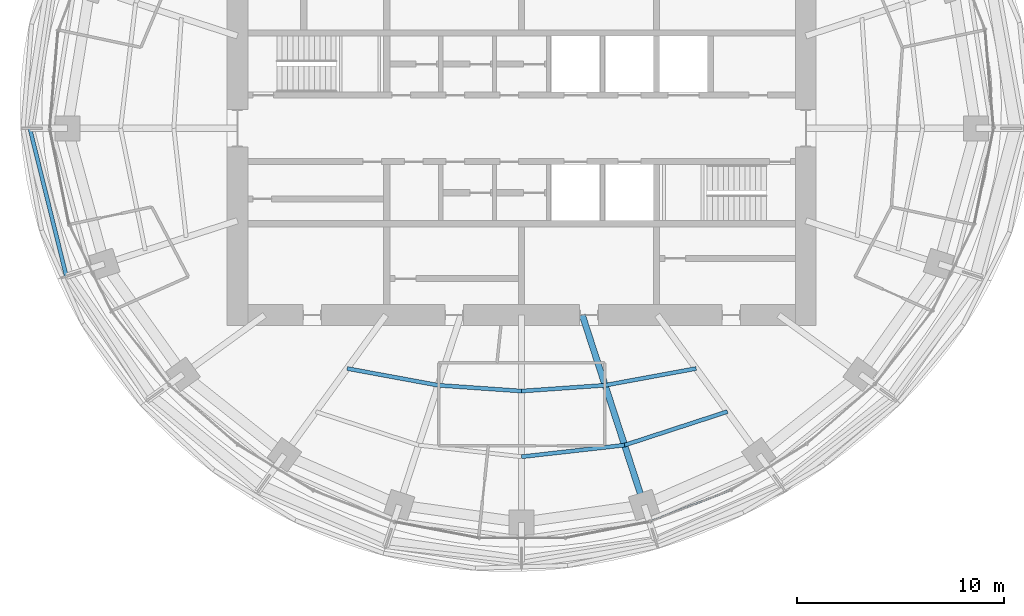
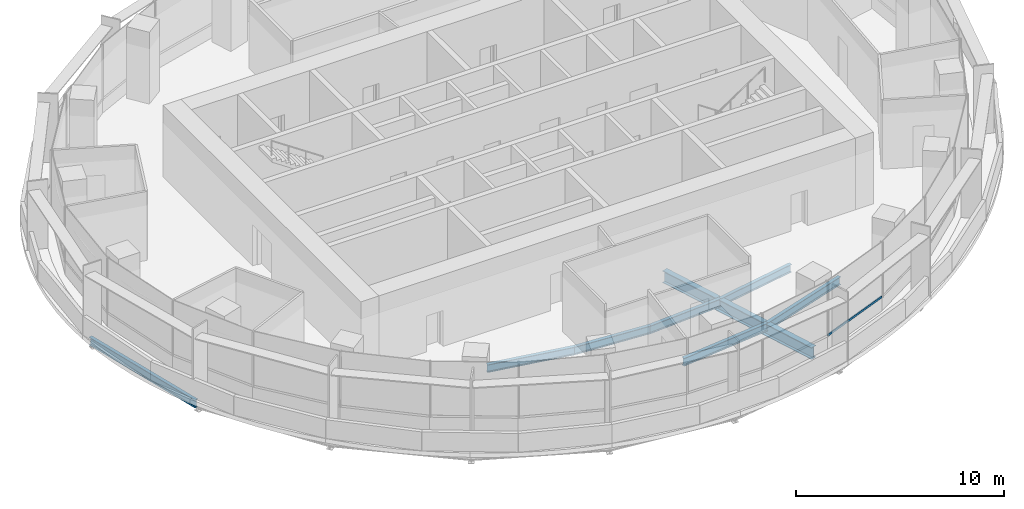
# One storey, part 3 of 15: 8 beams, 1 member, 1 element without a shape of its own.
"""IFC4 building model written with IfcOpenShell, lengths in metres."""

from ifc_helpers import new_model, si_unit, direction, frame, origin, origin_2d, place, context, subcontext, project, spatial, rectangle, i_section, extrude, material, material_profile, profile_set, type_object, element, aggregate, save


model = new_model("IFC4")

# Units and contexts
model_context = context("Model", 3, precision=1e-05, world=origin(), true_north=direction((0.0, 1.0)))
body_context = subcontext(model_context, "Body", "Model", "MODEL_VIEW")
ifc_project = project(units=[si_unit("LENGTHUNIT", "METRE"), si_unit("AREAUNIT", "SQUARE_METRE"), si_unit("VOLUMEUNIT", "CUBIC_METRE"), si_unit("PLANEANGLEUNIT", "RADIAN"), si_unit("MASSUNIT", "GRAM", prefix="KILO")], contexts=[model_context])

# Site, building, storey
site_placement = place(None, origin())
site = spatial("IfcSite", under=ifc_project, at=site_placement, CompositionType="ELEMENT")
building_placement = place(site_placement, origin())
building = spatial("IfcBuilding", under=site, at=building_placement, Name="Marramba Exchange Tower", CompositionType="ELEMENT")
storey_placement = place(building_placement, frame((0.0, 0.0, 251.800048828125)))
storey = spatial("IfcBuildingStorey", under=building, at=storey_placement, Name="L61", CompositionType="ELEMENT", Elevation=251.800048828125)

# Curtain wall, member
ifc_material_1 = material(Name="Aluminium framing, bronze anodised", Category="aluminium")
curtain_wall_type = type_object("IfcCurtainWallType", Name="Executive floor ribbon curtain wall", PredefinedType="USERDEFINED", material=ifc_material_1)
curtain_wall_placement = place(storey_placement, origin())
curtain_wall = element("IfcCurtainWall", 1, at=curtain_wall_placement, inside=storey, type_object=curtain_wall_type, Name="Curtain wall CW5 L61 F21-F25", ObjectType="RIBBON CURTAIN WALL", PredefinedType="USERDEFINED")
ifc_material_2 = material(Name="Aluminium transom, bronze anodised", Category="aluminium")
ifc_material_profile_1 = material_profile(ifc_material_2, rectangle(XDim=0.06005859375, YDim=0.1201171875, at=origin_2d()), Name="CW5 transom 60x120")
ifc_profile_set_1 = profile_set([ifc_material_profile_1], Name="Aluminium transom, bronze anodised")
member_type = type_object("IfcMemberType", Name="Executive floor ribbon curtain wall transom", PredefinedType="USERDEFINED", material=ifc_profile_set_1)
member_placement = place(storey_placement, frame((6.21826171875, -18.943603515625, 0.829833984375), z_axis=(0.931790621773, 0.362996194438, 0.0), x_axis=(-0.362996194438, 0.931790621773, 0.0)))
member = element("IfcMember", 2, at=member_placement, type_object=member_type, Name="CW5 sill transom", ObjectType="TRANSOM", PredefinedType="USERDEFINED", context=body_context, shape_type="SweptSolid", body=[
    extrude(rectangle(XDim=0.06005859375, YDim=0.1201171875, at=origin_2d()), origin(), (0.0, 0.0, 1.0), 4.13427734375),
])
aggregate(curtain_wall, [member])

# Beams
ifc_material_3 = material(Name="Steel AS/NZS 3679.1 grade 300", Category="steel")
ifc_material_profile_2 = material_profile(ifc_material_3, i_section(OverallWidth=0.19091796875, OverallDepth=0.4599609375, WebThickness=0.010009765625, FlangeThickness=0.01611328125, FilletRadius=0.011474609375, at=origin_2d()), Name="460UB82.1")
ifc_profile_set_2 = profile_set([ifc_material_profile_2], Name="Steel AS/NZS 3679.1 grade 300")
beam_type_1 = type_object("IfcBeamType", Name="Floor joist 460UB82.1", PredefinedType="JOIST", material=ifc_profile_set_2)
beam_1_placement = place(storey_placement, frame((-8.41162109375, -11.57763671875, -0.429931640625), z_axis=(0.983455754421, -0.181148500119, 0.0), x_axis=(0.181148500119, 0.983455754421, 0.0)))
element("IfcBeam", 3, at=beam_1_placement, inside=storey, type_object=beam_type_1, Name="Joist L61 bay 14 row 1", PredefinedType="JOIST", context=body_context, shape_type="SweptSolid", body=[
    extrude(i_section(OverallWidth=0.19091796875, OverallDepth=0.4599609375, WebThickness=0.010009765625, FlangeThickness=0.01611328125, FilletRadius=0.011474609375, at=origin_2d()), origin(), (0.0, 0.0, 1.0), 4.4609375),
])
for number, where, z_axis, x_axis, name in (
    (4, (-4.0244140625, -12.3857421875, -0.429931640625), (0.99759625901, -0.069294328838, 0.0), (0.069294328838, 0.99759625901, 0.0), "Joist L61 bay 15 row 1"),
    (5, (0.0, -12.665283203125, -0.429931640625), (0.99759625901, 0.069294328838, 0.0), (-0.069294328838, 0.99759625901, 0.0), "Joist L61 bay 16 row 1"),
):
    element("IfcBeam", number, at=place(storey_placement, frame(where, z_axis=z_axis, x_axis=x_axis)), inside=storey, type_object=beam_type_1, Name=name, PredefinedType="JOIST", context=body_context, shape_type="SweptSolid", body=[
        extrude(i_section(OverallWidth=0.19091796875, OverallDepth=0.4599609375, WebThickness=0.010009765625, FlangeThickness=0.01611328125, FilletRadius=0.011474609375, at=origin_2d()), origin(), (0.0, 0.0, 1.0), 4.0341796875),
    ])
beam_2_placement = place(storey_placement, frame((0.0, -15.83056640625, -0.429931640625), z_axis=(0.993712018573, 0.111966174106, 0.0), x_axis=(-0.111966174106, 0.993712018573, 0.0)))
element("IfcBeam", 6, at=beam_2_placement, inside=storey, type_object=beam_type_1, Name="Joist L61 bay 16 row 2", PredefinedType="JOIST", context=body_context, shape_type="SweptSolid", body=[
    extrude(i_section(OverallWidth=0.19091796875, OverallDepth=0.4599609375, WebThickness=0.010009765625, FlangeThickness=0.01611328125, FilletRadius=0.011474609375, at=origin_2d()), origin(), (0.0, 0.0, 1.0), 4.993408203125),
])
beam_3_placement = place(storey_placement, frame((4.0244140625, -12.3857421875, -0.429931640625), z_axis=(0.983455754421, 0.181148500119, 0.0), x_axis=(-0.181148500119, 0.983455754421, 0.0)))
element("IfcBeam", 7, at=beam_3_placement, inside=storey, type_object=beam_type_1, Name="Joist L61 bay 17 row 1", PredefinedType="JOIST", context=body_context, shape_type="SweptSolid", body=[
    extrude(i_section(OverallWidth=0.19091796875, OverallDepth=0.4599609375, WebThickness=0.010009765625, FlangeThickness=0.01611328125, FilletRadius=0.011474609375, at=origin_2d()), origin(), (0.0, 0.0, 1.0), 4.4609375),
])
beam_4_placement = place(storey_placement, frame((4.9619140625, -15.271484375, -0.429931640625), z_axis=(0.950764024931, 0.309915744834, 0.0), x_axis=(-0.309915744834, 0.950764024931, 0.0)))
element("IfcBeam", 8, at=beam_4_placement, inside=storey, type_object=beam_type_1, Name="Joist L61 bay 17 row 2", PredefinedType="JOIST", context=body_context, shape_type="SweptSolid", body=[
    extrude(i_section(OverallWidth=0.19091796875, OverallDepth=0.4599609375, WebThickness=0.010009765625, FlangeThickness=0.01611328125, FilletRadius=0.011474609375, at=origin_2d()), origin(), (0.0, 0.0, 1.0), 5.2158203125),
])
ifc_material_4 = material(Name="Steel AS/NZS 3679.2 grade 300", Category="steel")
ifc_material_profile_3 = material_profile(ifc_material_4, i_section(OverallWidth=0.300048828125, OverallDepth=0.699951171875, WebThickness=0.010009765625, FlangeThickness=0.031982421875, at=origin_2d()), Name="700WB173")
ifc_profile_set_3 = profile_set([ifc_material_profile_3], Name="Steel AS/NZS 3679.2 grade 300")
beam_type_2 = type_object("IfcBeamType", Name="Radial girder 700WB173", PredefinedType="BEAM", material=ifc_profile_set_3)
beam_5_placement = place(storey_placement, frame((2.92431640625, -9.0, -0.550048828125), z_axis=(0.309022428985, -0.951054750466, 0.0), x_axis=(0.951054750466, 0.309022428985, 0.0)))
element("IfcBeam", 9, at=beam_5_placement, inside=storey, type_object=beam_type_2, Name="Radial girder L61 TC17", PredefinedType="BEAM", context=body_context, shape_type="SweptSolid", body=[
    extrude(i_section(OverallWidth=0.300048828125, OverallDepth=0.699951171875, WebThickness=0.010009765625, FlangeThickness=0.031982421875, at=origin_2d()), origin(), (0.0, 0.0, 1.0), 9.628173828125),
])
ifc_material_profile_4 = material_profile(ifc_material_3, i_section(OverallWidth=0.19091796875, OverallDepth=0.4599609375, WebThickness=0.010009765625, FlangeThickness=0.01611328125, FilletRadius=0.011474609375, at=origin_2d()), Name="460UB82.1")
ifc_profile_set_4 = profile_set([ifc_material_profile_4], Name="Steel AS/NZS 3679.1 grade 300")
beam_type_3 = type_object("IfcBeamType", Name="Slab edge beam 460UB82.1", PredefinedType="SPANDREL", material=ifc_profile_set_4)
beam_6_placement = place(storey_placement, frame((-23.7060546875, 0.0, -0.47998046875), z_axis=(0.23973454413, -0.970838476963, 0.0), x_axis=(0.970838476963, 0.23973454413, 0.0)))
element("IfcBeam", 10, at=beam_6_placement, inside=storey, type_object=beam_type_3, Name="Setback roof edge beam L61 TC11-TC12", PredefinedType="SPANDREL", context=body_context, shape_type="SweptSolid", body=[
    extrude(i_section(OverallWidth=0.19091796875, OverallDepth=0.4599609375, WebThickness=0.010009765625, FlangeThickness=0.01611328125, FilletRadius=0.011474609375, at=origin_2d()), origin(), (0.0, 0.0, 1.0), 7.344482421875),
])

save(model, "model.ifc")
